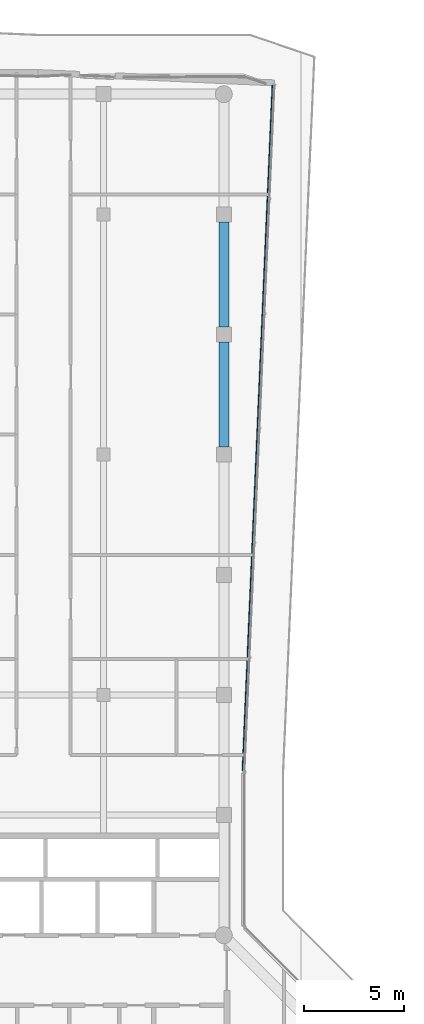
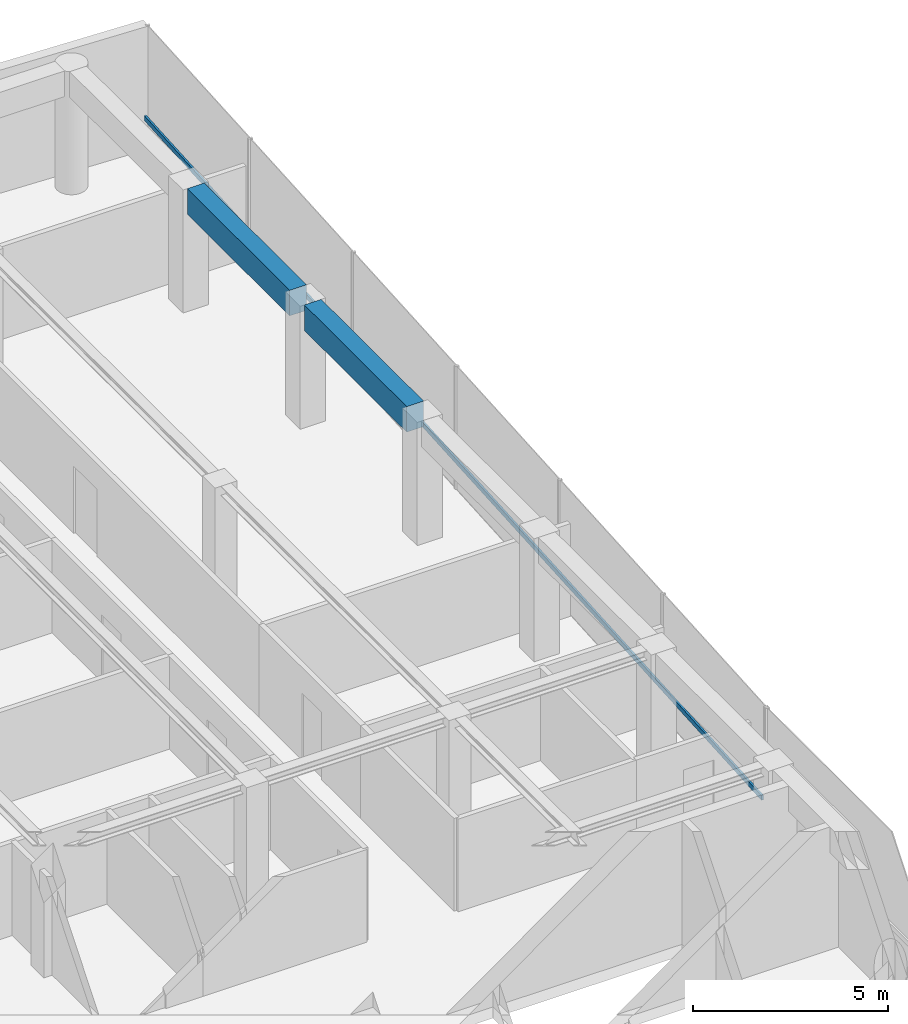
# One storey, part 11 of 19: 2 beams, 1 member, 1 element without a shape of its own.
"""IFC4 building model written with IfcOpenShell, lengths in metres."""

from ifc_helpers import new_model, si_unit, direction, frame, origin, origin_2d, place, context, subcontext, project, spatial, rectangle, extrude, material, layer, layer_set, material_profile, profile_set, type_object, element, aggregate, save


model = new_model("IFC4")

# Units and contexts
model_context = context("Model", 3, precision=1e-05, world=origin(), true_north=direction((0.0, 1.0)))
body_context = subcontext(model_context, "Body", "Model", "MODEL_VIEW")
ifc_project = project(units=[si_unit("LENGTHUNIT", "METRE"), si_unit("AREAUNIT", "SQUARE_METRE"), si_unit("VOLUMEUNIT", "CUBIC_METRE"), si_unit("PLANEANGLEUNIT", "RADIAN"), si_unit("MASSUNIT", "GRAM", prefix="KILO")], contexts=[model_context])

# Site, building, storey
site_placement = place(None, origin())
site = spatial("IfcSite", under=ifc_project, at=site_placement, CompositionType="ELEMENT")
building_placement = place(site_placement, origin())
building = spatial("IfcBuilding", under=site, at=building_placement, Name="Welwitschia Terrace Campus", CompositionType="ELEMENT")
storey_placement = place(building_placement, frame((0.0, 0.0, 276.800048828125)))
storey = spatial("IfcBuildingStorey", under=building, at=storey_placement, Name="L61", CompositionType="ELEMENT", Elevation=276.800048828125)

# Beams
ifc_material_1 = material(Name="Concrete C50/60", Category="concrete")
ifc_material_profile_1 = material_profile(ifc_material_1, rectangle(XDim=0.5, YDim=0.800048828125, at=origin_2d()))
ifc_profile_set_1 = profile_set([ifc_material_profile_1], Name="Concrete C50/60")
beam_type = type_object("IfcBeamType", Name="Ring spandrel 500x800", PredefinedType="SPANDREL", material=ifc_profile_set_1)
for number, where, z_axis, x_axis, name in (
    (1, (24.0, 44.37548828125, 3.449951171875), (0.0, 1.0, 0.0), (-1.0, 0.0, 0.0), "Spandrel SP4"),
    (2, (24.0, 50.37548828125, 3.449951171875), (0.0, 1.0, 0.0), (-1.0, 0.0, 0.0), "Spandrel SP4"),
):
    element("IfcBeam", number, at=place(storey_placement, frame(where, z_axis=z_axis, x_axis=x_axis)), inside=storey, type_object=beam_type, Name=name, PredefinedType="SPANDREL", context=body_context, shape_type="SweptSolid", body=[
        extrude(rectangle(XDim=0.5, YDim=0.800048828125, at=origin_2d()), origin(), (0.0, 0.0, 1.0), 5.2490234375),
    ])

# Curtain wall, member
ifc_material_2 = material(Name="Bronze anodised aluminium", Category="aluminium")
ifc_layer = layer(ifc_material_2, 0.1201171875)
ifc_layer_set = layer_set([ifc_layer], Name="Bronze anodised aluminium")
curtain_wall_type = type_object("IfcCurtainWallType", Name="Curtain wall CW2 tower 6000", PredefinedType="NOTDEFINED", material=ifc_layer_set)
curtain_wall_placement = place(storey_placement, origin())
curtain_wall = element("IfcCurtainWall", 3, at=curtain_wall_placement, inside=storey, type_object=curtain_wall_type, Name="CW L61.7.0", PredefinedType="NOTDEFINED")
ifc_material_3 = material(Name="Bronze anodised aluminium", Category="aluminium")
ifc_material_profile_2 = material_profile(ifc_material_3, rectangle(XDim=0.06005859375, YDim=0.14990234375, at=origin_2d()))
ifc_profile_set_2 = profile_set([ifc_material_profile_2], Name="Bronze anodised aluminium")
member_type = type_object("IfcMemberType", Name="Transom 60x150", PredefinedType="USERDEFINED", material=ifc_profile_set_2)
member_placement = place(storey_placement, frame((24.942626953125, 28.210693359375, 1.0), z_axis=(0.043623627798, 0.999048036432, 0.0), x_axis=(-0.999048036432, 0.043623627798, 0.0)))
member = element("IfcMember", 4, at=member_placement, type_object=member_type, Name="Transom L61.7.0", ObjectType="TRANSOM", PredefinedType="USERDEFINED", context=body_context, shape_type="SweptSolid", body=[
    extrude(rectangle(XDim=0.06005859375, YDim=0.14990234375, at=origin_2d()), origin(), (0.0, 0.0, 1.0), 34.273193359375),
])
aggregate(curtain_wall, [member])

save(model, "model.ifc")
